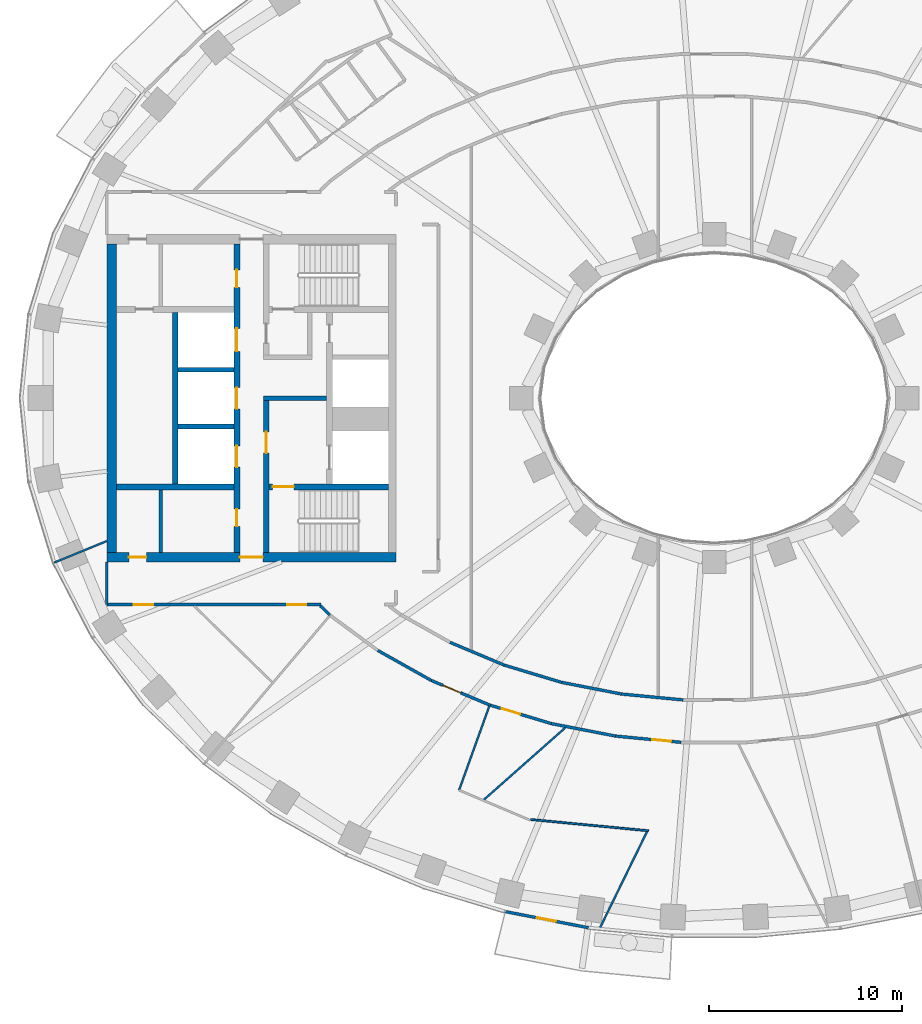
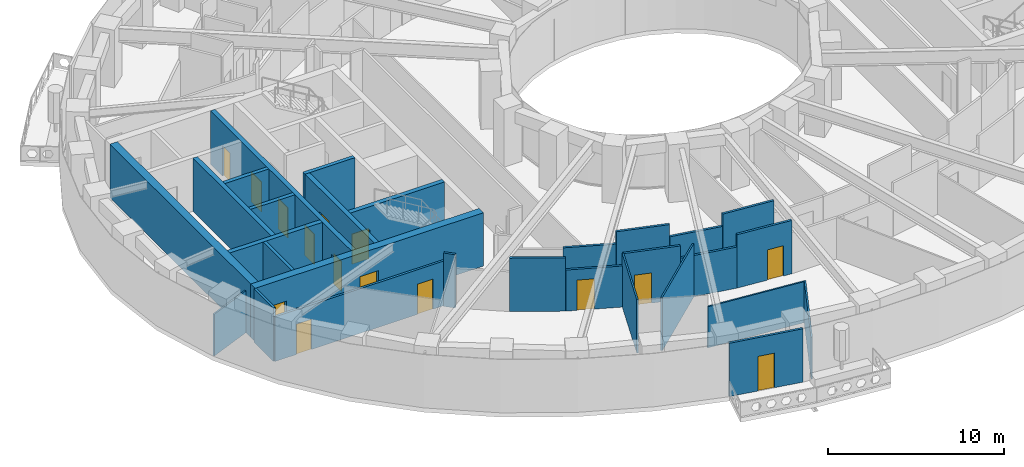
# One storey, part 3 of 17: 29 walls, 15 doors, 15 openings.
"""IFC4 building model written with IfcOpenShell, lengths in metres."""

import ifcopenshell
import ifcopenshell.guid

model = None  # the IFC model being written
_history = None  # IfcOwnerHistory: only IFC2X3 demands one
_inside = {}  # id of a spatial element -> (the spatial element, [elements in it])
_under = {}  # id of a project, library or spatial element -> (it, [spatial elements below it])
_declared = {}  # id of a project -> (the project, [libraries it declares])
_typed = {}  # id of a type object -> (the type object, [elements of that type])
_made_of = {}  # id of a material, layer set ... -> (it, [elements and type objects made of it])


def new_model(schema):
    """Start an empty IFC model of exactly this schema.

    Asked for "IFC4X3", IfcOpenShell would pick the latest addendum, in which some entities
    have other attributes; the version numbers below select the first issue.
    IFC2X3 requires an IfcOwnerHistory on every rooted entity: one is made here for all.
    """
    global model, _history
    if schema == "IFC4X3":
        model = ifcopenshell.file(schema_version=(4, 3, 0, 0))
    else:
        model = ifcopenshell.file(schema=schema)
    _inside.clear()
    _under.clear()
    _declared.clear()
    _typed.clear()
    _made_of.clear()
    _history = None
    if model.schema == "IFC2X3":
        org = make("IfcOrganization", Name="unknown")
        user = make(
            "IfcPersonAndOrganization",
            ThePerson=make("IfcPerson", FamilyName="unknown"),
            TheOrganization=org,
        )
        app = make(
            "IfcApplication",
            ApplicationDeveloper=org,
            Version="unknown",
            ApplicationFullName="unknown",
            ApplicationIdentifier="unknown",
        )
        _history = make(
            "IfcOwnerHistory",
            OwningUser=user,
            OwningApplication=app,
            ChangeAction="ADDED",
            CreationDate=0,
        )
    return model


def make(cls, **values):
    """One entity of the class cls with the attributes given. An attribute that is None is left unset."""
    return model.create_entity(
        cls, **{name: value for name, value in values.items() if value is not None}
    )


def rooted(cls, **values):
    """An entity with a GlobalId (a new one), such as an element, a storey or a relation."""
    return make(cls, GlobalId=ifcopenshell.guid.new(), OwnerHistory=_history, **values)


def si_unit(unit_type, name, prefix=None):
    """IfcSIUnit, for example si_unit("LENGTHUNIT", "METRE", prefix="MILLI")."""
    return make("IfcSIUnit", UnitType=unit_type, Prefix=prefix, Name=name)


def assignment(units):
    """IfcUnitAssignment: the units of a project."""
    return None if units is None else make("IfcUnitAssignment", Units=units)


def point(xyz):
    """IfcCartesianPoint."""
    return None if xyz is None else make("IfcCartesianPoint", Coordinates=xyz)


def direction(xyz):
    """IfcDirection."""
    return None if xyz is None else make("IfcDirection", DirectionRatios=xyz)


def frame(location, z_axis=None, x_axis=None):
    """IfcAxis2Placement3D, a coordinate frame: its origin and axes. An axis left out is left unset."""
    return make(
        "IfcAxis2Placement3D",
        Location=point(location),
        Axis=direction(z_axis),
        RefDirection=direction(x_axis),
    )


def frame_2d(location, x_axis=None):
    """IfcAxis2Placement2D, a coordinate frame in the plane: its origin and x axis."""
    return make(
        "IfcAxis2Placement2D", Location=point(location), RefDirection=direction(x_axis)
    )


def origin():
    """The frame at (0, 0, 0) with its axes left unset."""
    return frame((0.0, 0.0, 0.0))


def place(relative_to, where):
    """IfcLocalPlacement: puts the frame where relative to a parent placement (None: the world)."""
    return make(
        "IfcLocalPlacement", PlacementRelTo=relative_to, RelativePlacement=where
    )


def context(
    kind, dimensions, precision=None, world=None, true_north=None, identifier=None
):
    """IfcGeometricRepresentationContext, for example the 3D "Model" context."""
    return make(
        "IfcGeometricRepresentationContext",
        ContextIdentifier=identifier,
        ContextType=kind,
        CoordinateSpaceDimension=dimensions,
        Precision=precision,
        WorldCoordinateSystem=world,
        TrueNorth=true_north,
    )


def subcontext(parent, identifier, kind, view, scale=None):
    """IfcGeometricRepresentationSubContext, for example "Body" below "Model"."""
    return make(
        "IfcGeometricRepresentationSubContext",
        ContextIdentifier=identifier,
        ContextType=kind,
        ParentContext=parent,
        TargetScale=scale,
        TargetView=view,
    )


def project(units=None, contexts=None):
    """IfcProject with its units and contexts."""
    return rooted(
        "IfcProject",
        Name="project",
        RepresentationContexts=contexts,
        UnitsInContext=assignment(units),
    )


def spatial(cls, under=None, at=None, **own):
    """A site, building, storey or space (cls), placed at a placement, below another one or the project."""
    s = rooted(cls, ObjectPlacement=at, **own)
    if under is not None:
        _under.setdefault(under.id(), (under, []))[1].append(s)
    return s


def profile(cls, at=None, kind="AREA", **sizes):
    """A parametric profile (cls). Its sizes go by their IFC names, for example OverallWidth=200.0."""
    return make(cls, ProfileType=kind, Position=at, **sizes)


def rectangle(**sizes):
    """IfcRectangleProfileDef."""
    return profile("IfcRectangleProfileDef", **sizes)


def extrude(swept, where, along, depth):
    """IfcExtrudedAreaSolid: the profile swept, set in the frame where, extruded along a direction by depth."""
    return make(
        "IfcExtrudedAreaSolid",
        SweptArea=swept,
        Position=where,
        ExtrudedDirection=direction(along),
        Depth=depth,
    )


def shape(context_of_items, identifier, shape_type, items):
    """IfcShapeRepresentation: the items that make up one representation, for example the "Body"."""
    return make(
        "IfcShapeRepresentation",
        ContextOfItems=context_of_items,
        RepresentationIdentifier=identifier,
        RepresentationType=shape_type,
        Items=items,
    )


def material(Name=None, Category=None):
    """IfcMaterial."""
    return make("IfcMaterial", Name=Name, Category=Category)


def layer(
    of_material, thickness, ventilated=None, Name=None, Category=None, Priority=None
):
    """IfcMaterialLayer: one layer of a wall or slab, of a material (None: an air gap)."""
    return make(
        "IfcMaterialLayer",
        Material=of_material,
        LayerThickness=thickness,
        IsVentilated=ventilated,
        Name=Name,
        Category=Category,
        Priority=Priority,
    )


def layer_set(layers, Name=None):
    """IfcMaterialLayerSet."""
    return make("IfcMaterialLayerSet", MaterialLayers=layers, LayerSetName=Name)


def made_of(thing, what):
    """Note that an element or type object is made of a material, layer set ...; save() writes the relation."""
    if what is not None:
        _made_of.setdefault(what.id(), (what, []))[1].append(thing)
    return thing


def type_object(cls, material=None, **own):
    """A type object (cls), such as IfcWallType, which elements share."""
    return made_of(rooted(cls, **own), material)


def element(
    cls,
    number,
    at=None,
    inside=None,
    cuts=None,
    type_object=None,
    material=None,
    context=None,
    identifier="Body",
    shape_type=None,
    held_by="IfcProductDefinitionShape",
    body=None,
    shapes=None,
    **own,
):
    """One element of the class cls, such as IfcWall. Its Tag is "e" and its number.

    at: its placement. inside: the storey or other place that contains it. cuts: it is an
    opening in that element (IfcRelVoidsElement). A single representation is given by context,
    identifier, shape_type and body (its items); several are given by shapes. held_by: the class
    of the entity that holds the representations. save() writes the other relations.
    """
    e = rooted(cls, Tag="e%d" % number, ObjectPlacement=at, **own)
    if body is not None:
        shapes = [shape(context, identifier, shape_type, body)]
    if shapes is not None:
        e.Representation = make(held_by, Representations=shapes)
    if inside is not None:
        _inside.setdefault(inside.id(), (inside, []))[1].append(e)
    if cuts is not None:
        rooted(
            "IfcRelVoidsElement", RelatingBuildingElement=cuts, RelatedOpeningElement=e
        )
    if type_object is not None:
        _typed.setdefault(type_object.id(), (type_object, []))[1].append(e)
    return made_of(e, material)


def fill(opening, filler):
    """IfcRelFillsElement: the door or window that sits in an opening."""
    return rooted(
        "IfcRelFillsElement",
        RelatingOpeningElement=opening,
        RelatedBuildingElement=filler,
    )


def aggregate(whole, parts):
    """IfcRelAggregates: a whole, such as a stair, and the parts it consists of."""
    return rooted("IfcRelAggregates", RelatingObject=whole, RelatedObjects=parts)


def save(model, path):
    """Write the relations noted so far, then the file.

    IfcRelAggregates (storeys below a building ...), IfcRelContainedInSpatialStructure (elements
    in a storey), IfcRelDefinesByType, IfcRelAssociatesMaterial and IfcRelDeclares: one each for
    every whole, place, type object, material and project.
    """
    for whole, parts in _under.values():
        aggregate(whole, parts)
    for where, things in _inside.values():
        rooted(
            "IfcRelContainedInSpatialStructure",
            RelatedElements=things,
            RelatingStructure=where,
        )
    for kind, things in _typed.values():
        rooted("IfcRelDefinesByType", RelatedObjects=things, RelatingType=kind)
    for what, things in _made_of.values():
        rooted("IfcRelAssociatesMaterial", RelatedObjects=things, RelatingMaterial=what)
    for by, libraries in _declared.values():
        rooted("IfcRelDeclares", RelatingContext=by, RelatedDefinitions=libraries)
    model.write(path)


model = new_model("IFC4")

# Units and contexts
model_context = context("Model", 3, precision=1e-05, world=origin(), true_north=direction((0.0, 1.0)))
body_context = subcontext(model_context, "Body", "Model", "MODEL_VIEW")
ifc_project = project(units=[si_unit("LENGTHUNIT", "METRE"), si_unit("AREAUNIT", "SQUARE_METRE"), si_unit("VOLUMEUNIT", "CUBIC_METRE"), si_unit("PLANEANGLEUNIT", "RADIAN"), si_unit("MASSUNIT", "GRAM", prefix="KILO")], contexts=[model_context])

# Site, building, storey
site_placement = place(None, origin())
site = spatial("IfcSite", under=ifc_project, at=site_placement, CompositionType="ELEMENT")
building_placement = place(site_placement, origin())
building = spatial("IfcBuilding", under=site, at=building_placement, Name="Noorbagh Ring Tower", CompositionType="ELEMENT")
storey_placement = place(building_placement, frame((0.0, 0.0, 112.0)))
storey = spatial("IfcBuildingStorey", under=building, at=storey_placement, Name="L25", CompositionType="ELEMENT", Elevation=112.0)

# Walls
ifc_material_1 = material(Name="Gypsum board on steel studs", Category="steel")
ifc_layer_1 = layer(ifc_material_1, 0.199951171875)
ifc_layer_set_1 = layer_set([ifc_layer_1], Name="Gypsum board on steel studs")
wall_type_1 = type_object("IfcWallType", Name="CORE-PARTITION-200", PredefinedType="PARTITIONING", material=ifc_layer_set_1)
wall_1_placement = place(storey_placement, frame((-28.699951171875, -8.0, 0.0), z_axis=(0.0, 0.0, 1.0), x_axis=(0.0, 1.0, 0.0)))
element("IfcWall", 1, at=wall_1_placement, inside=storey, type_object=wall_type_1, Name="Core partition W", PredefinedType="PARTITIONING", context=body_context, shape_type="SweptSolid", body=[
    extrude(rectangle(XDim=3.25, YDim=0.199951171875, at=frame_2d((1.625, 0.0))), origin(), (0.0, 0.0, 1.0), 3.699951171875),
])
ifc_material_2 = material(Name="Concrete C70/85", Category="concrete")
ifc_layer_2 = layer(ifc_material_2, 0.25)
ifc_layer_set_2 = layer_set([ifc_layer_2], Name="Concrete C70/85")
wall_type_2 = type_object("IfcWallType", Name="CORE-WALL-250-C70-85-EI120", PredefinedType="SHEAR", material=ifc_layer_set_2)
for number, where, z_axis, x_axis, name in (
    (2, (-24.89990234375, -1.47509765625, 0.0), (0.0, 0.0, 1.0), (-1.0, 0.0, 0.0), "Core wall W"),
    (3, (-24.89990234375, 1.47509765625, 0.0), (0.0, 0.0, 1.0), (-1.0, 0.0, 0.0), "Core wall W"),
):
    element("IfcWall", number, at=place(storey_placement, frame(where, z_axis=z_axis, x_axis=x_axis)), inside=storey, type_object=wall_type_2, Name=name, PredefinedType="SHEAR", context=body_context, shape_type="SweptSolid", body=[
        extrude(rectangle(XDim=2.900146484375, YDim=0.25, at=frame_2d((1.4501953125, 0.0))), origin(), (0.0, 0.0, 1.0), 3.699951171875),
    ])
ifc_material_3 = material(Name="Concrete C70/85", Category="concrete")
ifc_layer_3 = layer(ifc_material_3, 0.25)
ifc_layer_set_3 = layer_set([ifc_layer_3], Name="Concrete C70/85")
wall_type_3 = type_object("IfcWallType", Name="CORE-WALL-250-C70-85-EI240", PredefinedType="SHEAR", material=ifc_layer_set_3)
wall_2_placement = place(storey_placement, frame((-20.10009765625, 0.0, 0.0), z_axis=(0.0, 0.0, 1.0), x_axis=(-1.0, 0.0, 0.0)))
element("IfcWall", 4, at=wall_2_placement, inside=storey, type_object=wall_type_3, Name="Core wall W", PredefinedType="SHEAR", context=body_context, shape_type="SweptSolid", body=[
    extrude(rectangle(XDim=3.27978515625, YDim=0.25, at=frame_2d((1.639892578125, 0.0))), origin(), (0.0, 0.0, 1.0), 3.699951171875),
])
ifc_material_4 = material(Name="Concrete C70/85", Category="concrete")
ifc_layer_4 = layer(ifc_material_4, 0.300048828125)
ifc_layer_set_4 = layer_set([ifc_layer_4], Name="Concrete C70/85")
wall_type_4 = type_object("IfcWallType", Name="CORE-WALL-300-C70-85-EI120", PredefinedType="SHEAR", material=ifc_layer_set_4)
wall_3_placement = place(storey_placement, frame((-27.949951171875, -4.449951171875, 0.0), z_axis=(0.0, 0.0, 1.0), x_axis=(0.0, 1.0, 0.0)))
element("IfcWall", 5, at=wall_3_placement, inside=storey, type_object=wall_type_4, Name="Core wall W", PredefinedType="SHEAR", context=body_context, shape_type="SweptSolid", body=[
    extrude(rectangle(XDim=8.89990234375, YDim=0.300048828125, at=frame_2d((4.449951171875, 0.0))), origin(), (0.0, 0.0, 1.0), 3.699951171875),
])

# Wall, openings, doors
wall_4_placement = place(storey_placement, frame((-24.75, -8.0, 0.0), z_axis=(0.0, 0.0, 1.0), x_axis=(0.0, 1.0, 0.0)))
wall_4 = element("IfcWall", 6, at=wall_4_placement, inside=storey, type_object=wall_type_4, Name="Core wall W", PredefinedType="SHEAR", context=body_context, shape_type="SweptSolid", body=[
    extrude(rectangle(XDim=16.0, YDim=0.300048828125, at=frame_2d((8.0, 0.0))), origin(), (0.0, 0.0, 1.0), 3.699951171875),
])
opening_1_placement = place(wall_4_placement, frame((4.425048828125, 0.0, 0.0)))
opening_1 = element("IfcOpeningElement", 7, at=opening_1_placement, cuts=wall_4, Name="Opening L25-CW02", PredefinedType="OPENING", context=body_context, shape_type="SweptSolid", body=[
    extrude(rectangle(XDim=1.10009765625, YDim=2.10009765625, at=frame_2d((0.550048828125, 1.050048828125))), frame((0.0, 0.16015625, 0.0), z_axis=(0.0, -1.0, 0.0), x_axis=(1.0, 0.0, 0.0)), (0.0, 0.0, 1.0), 0.320068359375),
])
opening_2_placement = place(wall_4_placement, frame((7.449951171875, 0.0, 0.0)))
opening_2 = element("IfcOpeningElement", 8, at=opening_2_placement, cuts=wall_4, Name="Opening L25-CW03", PredefinedType="OPENING", context=body_context, shape_type="SweptSolid", body=[
    extrude(rectangle(XDim=1.10009765625, YDim=2.10009765625, at=frame_2d((0.550048828125, 1.050048828125))), frame((0.0, 0.16015625, 0.0), z_axis=(0.0, -1.0, 0.0), x_axis=(1.0, 0.0, 0.0)), (0.0, 0.0, 1.0), 0.320068359375),
])
opening_3_placement = place(wall_4_placement, frame((10.425048828125, 0.0, 0.0)))
opening_3 = element("IfcOpeningElement", 9, at=opening_3_placement, cuts=wall_4, Name="Opening L25-CW04", PredefinedType="OPENING", context=body_context, shape_type="SweptSolid", body=[
    extrude(rectangle(XDim=1.199951171875, YDim=2.10009765625, at=frame_2d((0.60009765625, 1.050048828125))), frame((0.0, 0.16015625, 0.0), z_axis=(0.0, -1.0, 0.0), x_axis=(1.0, 0.0, 0.0)), (0.0, 0.0, 1.0), 0.320068359375),
])
opening_4_placement = place(wall_4_placement, frame((13.75, 0.0, 0.0)))
opening_4 = element("IfcOpeningElement", 10, at=opening_4_placement, cuts=wall_4, Name="Opening L25-CW12", PredefinedType="OPENING", context=body_context, shape_type="SweptSolid", body=[
    extrude(rectangle(XDim=0.89990234375, YDim=2.10009765625, at=frame_2d((0.449951171875, 1.050048828125))), frame((0.0, 0.16015625, 0.0), z_axis=(0.0, -1.0, 0.0), x_axis=(1.0, 0.0, 0.0)), (0.0, 0.0, 1.0), 0.320068359375),
])
opening_5_placement = place(wall_4_placement, frame((1.35009765625, 0.0, 0.0)))
opening_5 = element("IfcOpeningElement", 11, at=opening_5_placement, cuts=wall_4, Name="Opening L25-CW14", PredefinedType="OPENING", context=body_context, shape_type="SweptSolid", body=[
    extrude(rectangle(XDim=0.89990234375, YDim=2.10009765625, at=frame_2d((0.449951171875, 1.050048828125))), frame((0.0, 0.16015625, 0.0), z_axis=(0.0, -1.0, 0.0), x_axis=(1.0, 0.0, 0.0)), (0.0, 0.0, 1.0), 0.320068359375),
])
ifc_material_5 = material(Name="Steel door leaf", Category="steel")
door_type_1 = type_object("IfcDoorType", Name="CORE-DOOR-DROOM", OperationType="SINGLE_SWING_LEFT", PredefinedType="DOOR", material=ifc_material_5)
door_1_placement = place(opening_4_placement, origin())
door_1 = element("IfcDoor", 12, at=door_1_placement, inside=storey, type_object=door_type_1, Name="Core room door L25-CW12", OperationType="SINGLE_SWING_RIGHT", OverallHeight=2.10009765625, OverallWidth=0.89990234375, PredefinedType="DOOR", context=body_context, shape_type="SweptSolid", body=[
    extrude(rectangle(XDim=0.89990234375, YDim=2.10009765625, at=frame_2d((0.449951171875, 1.050048828125))), frame((0.0, 0.02490234375, 0.0), z_axis=(0.0, -1.0, 0.0), x_axis=(1.0, 0.0, 0.0)), (0.0, 0.0, 1.0), 0.050048828125),
])
fill(opening_4, door_1)
door_2_placement = place(opening_5_placement, origin())
door_2 = element("IfcDoor", 13, at=door_2_placement, inside=storey, type_object=door_type_1, Name="Core room door L25-CW14", OperationType="SINGLE_SWING_LEFT", OverallHeight=2.10009765625, OverallWidth=0.89990234375, PredefinedType="DOOR", context=body_context, shape_type="SweptSolid", body=[
    extrude(rectangle(XDim=0.89990234375, YDim=2.10009765625, at=frame_2d((0.449951171875, 1.050048828125))), frame((0.0, 0.02490234375, 0.0), z_axis=(0.0, -1.0, 0.0), x_axis=(1.0, 0.0, 0.0)), (0.0, 0.0, 1.0), 0.050048828125),
])
fill(opening_5, door_2)
ifc_material_6 = material(Name="Steel door leaf", Category="steel")
door_type_2 = type_object("IfcDoorType", Name="CORE-DOOR-LD", OperationType="DOUBLE_DOOR_SLIDING", PredefinedType="DOOR", material=ifc_material_6)
door_3_placement = place(opening_1_placement, origin())
door_3 = element("IfcDoor", 14, at=door_3_placement, inside=storey, type_object=door_type_2, Name="Landing door LR1 L25-CW02", OperationType="DOUBLE_DOOR_SLIDING", OverallHeight=2.10009765625, OverallWidth=1.10009765625, PredefinedType="DOOR", context=body_context, shape_type="SweptSolid", body=[
    extrude(rectangle(XDim=1.10009765625, YDim=2.10009765625, at=frame_2d((0.550048828125, 1.050048828125))), frame((0.0, 0.02490234375, 0.0), z_axis=(0.0, -1.0, 0.0), x_axis=(1.0, 0.0, 0.0)), (0.0, 0.0, 1.0), 0.050048828125),
])
fill(opening_1, door_3)
door_4_placement = place(opening_2_placement, origin())
door_4 = element("IfcDoor", 15, at=door_4_placement, inside=storey, type_object=door_type_2, Name="Landing door LR2 L25-CW03", OperationType="DOUBLE_DOOR_SLIDING", OverallHeight=2.10009765625, OverallWidth=1.10009765625, PredefinedType="DOOR", context=body_context, shape_type="SweptSolid", body=[
    extrude(rectangle(XDim=1.10009765625, YDim=2.10009765625, at=frame_2d((0.550048828125, 1.050048828125))), frame((0.0, 0.02490234375, 0.0), z_axis=(0.0, -1.0, 0.0), x_axis=(1.0, 0.0, 0.0)), (0.0, 0.0, 1.0), 0.050048828125),
])
fill(opening_2, door_4)
ifc_material_7 = material(Name="Steel door leaf", Category="steel")
door_type_3 = type_object("IfcDoorType", Name="CORE-DOOR-LDW", OperationType="DOUBLE_DOOR_SLIDING", PredefinedType="DOOR", material=ifc_material_7)
door_5_placement = place(opening_3_placement, origin())
door_5 = element("IfcDoor", 16, at=door_5_placement, inside=storey, type_object=door_type_3, Name="Landing door SV1 L25-CW04", OperationType="DOUBLE_DOOR_SLIDING", OverallHeight=2.10009765625, OverallWidth=1.199951171875, PredefinedType="DOOR", context=body_context, shape_type="SweptSolid", body=[
    extrude(rectangle(XDim=1.199951171875, YDim=2.10009765625, at=frame_2d((0.60009765625, 1.050048828125))), frame((0.0, 0.02490234375, 0.0), z_axis=(0.0, -1.0, 0.0), x_axis=(1.0, 0.0, 0.0)), (0.0, 0.0, 1.0), 0.050048828125),
])
fill(opening_3, door_5)

# Wall
ifc_material_8 = material(Name="Concrete C70/85", Category="concrete")
ifc_layer_5 = layer(ifc_material_8, 0.300048828125)
ifc_layer_set_5 = layer_set([ifc_layer_5], Name="Concrete C70/85")
wall_type_5 = type_object("IfcWallType", Name="CORE-WALL-300-C70-85-EI240", PredefinedType="SHEAR", material=ifc_layer_set_5)
wall_5_placement = place(storey_placement, frame((-24.89990234375, -4.60009765625, 0.0), z_axis=(0.0, 0.0, 1.0), x_axis=(-1.0, 0.0, 0.0)))
element("IfcWall", 17, at=wall_5_placement, inside=storey, type_object=wall_type_5, Name="Core wall W", PredefinedType="SHEAR", context=body_context, shape_type="SweptSolid", body=[
    extrude(rectangle(XDim=6.10009765625, YDim=0.300048828125, at=frame_2d((3.050048828125, 0.0))), origin(), (0.0, 0.0, 1.0), 3.699951171875),
])

# Wall, opening, door
wall_6_placement = place(storey_placement, frame((-23.22998046875, -8.0, 0.0), z_axis=(0.0, 0.0, 1.0), x_axis=(0.0, 1.0, 0.0)))
wall_6 = element("IfcWall", 18, at=wall_6_placement, inside=storey, type_object=wall_type_5, Name="Core wall W", PredefinedType="SHEAR", context=body_context, shape_type="SweptSolid", body=[
    extrude(rectangle(XDim=7.875, YDim=0.300048828125, at=frame_2d((3.9375, 0.0))), origin(), (0.0, 0.0, 1.0), 3.699951171875),
])
opening_6_placement = place(wall_6_placement, frame((5.14990234375, 0.0, 0.0)))
opening_6 = element("IfcOpeningElement", 19, at=opening_6_placement, cuts=wall_6, Name="Opening L25-CW07", PredefinedType="OPENING", context=body_context, shape_type="SweptSolid", body=[
    extrude(rectangle(XDim=1.10009765625, YDim=2.10009765625, at=frame_2d((0.550048828125, 1.050048828125))), frame((0.0, 0.16015625, 0.0), z_axis=(0.0, -1.0, 0.0), x_axis=(1.0, 0.0, 0.0)), (0.0, 0.0, 1.0), 0.320068359375),
])
ifc_material_9 = material(Name="Steel door leaf", Category="steel")
door_type_4 = type_object("IfcDoorType", Name="CORE-DOOR-DFF", OperationType="SINGLE_SWING_LEFT", PredefinedType="DOOR", material=ifc_material_9)
door_6_placement = place(opening_6_placement, origin())
door_6 = element("IfcDoor", 20, at=door_6_placement, inside=storey, type_object=door_type_4, Name="Firefighting lobby door L25-CW07", OperationType="SINGLE_SWING_LEFT", OverallHeight=2.10009765625, OverallWidth=1.10009765625, PredefinedType="DOOR", context=body_context, shape_type="SweptSolid", body=[
    extrude(rectangle(XDim=1.10009765625, YDim=2.10009765625, at=frame_2d((0.550048828125, 1.050048828125))), frame((0.0, 0.02490234375, 0.0), z_axis=(0.0, -1.0, 0.0), x_axis=(1.0, 0.0, 0.0)), (0.0, 0.0, 1.0), 0.050048828125),
])
fill(opening_6, door_6)

wall_7_placement = place(storey_placement, frame((-16.89990234375, -4.60009765625, 0.0), z_axis=(0.0, 0.0, 1.0), x_axis=(-1.0, 0.0, 0.0)))
wall_7 = element("IfcWall", 21, at=wall_7_placement, inside=storey, type_object=wall_type_5, Name="Core wall W", PredefinedType="SHEAR", context=body_context, shape_type="SweptSolid", body=[
    extrude(rectangle(XDim=6.18017578125, YDim=0.300048828125, at=frame_2d((3.090087890625, 0.0))), origin(), (0.0, 0.0, 1.0), 3.699951171875),
])
opening_7_placement = place(wall_7_placement, frame((4.89990234375, 0.0, 0.0)))
opening_7 = element("IfcOpeningElement", 22, at=opening_7_placement, cuts=wall_7, Name="Opening L25-CW06", PredefinedType="OPENING", context=body_context, shape_type="SweptSolid", body=[
    extrude(rectangle(XDim=1.10009765625, YDim=2.10009765625, at=frame_2d((0.550048828125, 1.050048828125))), frame((0.0, 0.16015625, 0.0), z_axis=(0.0, -1.0, 0.0), x_axis=(1.0, 0.0, 0.0)), (0.0, 0.0, 1.0), 0.320068359375),
])
ifc_material_10 = material(Name="Steel door leaf", Category="steel")
door_type_5 = type_object("IfcDoorType", Name="CORE-DOOR-DSTAIR", OperationType="SINGLE_SWING_LEFT", PredefinedType="DOOR", material=ifc_material_10)
door_7_placement = place(opening_7_placement, origin())
door_7 = element("IfcDoor", 23, at=door_7_placement, inside=storey, type_object=door_type_5, Name="Stair door ST2 L25-CW06", OperationType="SINGLE_SWING_LEFT", OverallHeight=2.10009765625, OverallWidth=1.10009765625, PredefinedType="DOOR", context=body_context, shape_type="SweptSolid", body=[
    extrude(rectangle(XDim=1.10009765625, YDim=2.10009765625, at=frame_2d((0.550048828125, 1.050048828125))), frame((0.0, 0.02490234375, 0.0), z_axis=(0.0, -1.0, 0.0), x_axis=(1.0, 0.0, 0.0)), (0.0, 0.0, 1.0), 0.050048828125),
])
fill(opening_7, door_7)

# Wall, openings, doors
ifc_material_11 = material(Name="Concrete C70/85", Category="concrete")
ifc_layer_6 = layer(ifc_material_11, 0.5)
ifc_layer_set_6 = layer_set([ifc_layer_6], Name="Concrete C70/85")
wall_type_6 = type_object("IfcWallType", Name="CORE-WALL-500-C70-85-EI240", PredefinedType="SHEAR", material=ifc_layer_set_6)
wall_8_placement = place(storey_placement, frame((-16.5, -8.25, 0.0), z_axis=(0.0, 0.0, 1.0), x_axis=(-1.0, 0.0, 0.0)))
wall_8 = element("IfcWall", 24, at=wall_8_placement, inside=storey, type_object=wall_type_6, Name="Core wall W", PredefinedType="SHEAR", context=body_context, shape_type="SweptSolid", body=[
    extrude(rectangle(XDim=15.0, YDim=0.5, at=frame_2d((7.5, 0.0))), origin(), (0.0, 0.0, 1.0), 3.699951171875),
])
opening_8_placement = place(wall_8_placement, frame((6.89990234375, 0.0, 0.0)))
opening_8 = element("IfcOpeningElement", 25, at=opening_8_placement, cuts=wall_8, Name="Opening L25-CW10", PredefinedType="OPENING", context=body_context, shape_type="SweptSolid", body=[
    extrude(rectangle(XDim=1.199951171875, YDim=2.10009765625, at=frame_2d((0.60009765625, 1.050048828125))), frame((0.0, 0.260009765625, 0.0), z_axis=(0.0, -1.0, 0.0), x_axis=(1.0, 0.0, 0.0)), (0.0, 0.0, 1.0), 0.52001953125),
])
opening_9_placement = place(wall_8_placement, frame((12.949951171875, 0.0, 0.0)))
opening_9 = element("IfcOpeningElement", 26, at=opening_9_placement, cuts=wall_8, Name="Opening L25-CW15", PredefinedType="OPENING", context=body_context, shape_type="SweptSolid", body=[
    extrude(rectangle(XDim=0.89990234375, YDim=2.10009765625, at=frame_2d((0.449951171875, 1.050048828125))), frame((0.0, 0.260009765625, 0.0), z_axis=(0.0, -1.0, 0.0), x_axis=(1.0, 0.0, 0.0)), (0.0, 0.0, 1.0), 0.52001953125),
])
door_8_placement = place(opening_9_placement, origin())
door_8 = element("IfcDoor", 27, at=door_8_placement, inside=storey, type_object=door_type_1, Name="Core room door L25-CW15", OperationType="SINGLE_SWING_LEFT", OverallHeight=2.10009765625, OverallWidth=0.89990234375, PredefinedType="DOOR", context=body_context, shape_type="SweptSolid", body=[
    extrude(rectangle(XDim=0.89990234375, YDim=2.10009765625, at=frame_2d((0.449951171875, 1.050048828125))), frame((0.0, 0.02490234375, 0.0), z_axis=(0.0, -1.0, 0.0), x_axis=(1.0, 0.0, 0.0)), (0.0, 0.0, 1.0), 0.050048828125),
])
fill(opening_9, door_8)
ifc_material_12 = material(Name="Steel door leaf", Category="steel")
door_type_6 = type_object("IfcDoorType", Name="CORE-DOOR-PORT", OperationType="DOUBLE_DOOR_DOUBLE_SWING", PredefinedType="DOOR", material=ifc_material_12)
door_9_placement = place(opening_8_placement, origin())
door_9 = element("IfcDoor", 28, at=door_9_placement, inside=storey, type_object=door_type_6, Name="Core entrance door L25-CW10", OperationType="DOUBLE_DOOR_DOUBLE_SWING", OverallHeight=2.10009765625, OverallWidth=1.199951171875, PredefinedType="DOOR", context=body_context, shape_type="SweptSolid", body=[
    extrude(rectangle(XDim=1.199951171875, YDim=2.10009765625, at=frame_2d((0.60009765625, 1.050048828125))), frame((0.0, 0.02490234375, 0.0), z_axis=(0.0, -1.0, 0.0), x_axis=(1.0, 0.0, 0.0)), (0.0, 0.0, 1.0), 0.050048828125),
])
fill(opening_8, door_9)

# Walls
wall_9_placement = place(storey_placement, frame((-31.25, -8.0, 0.0), z_axis=(0.0, 0.0, 1.0), x_axis=(0.0, 1.0, 0.0)))
element("IfcWall", 29, at=wall_9_placement, inside=storey, type_object=wall_type_6, Name="Core wall W", PredefinedType="SHEAR", context=body_context, shape_type="SweptSolid", body=[
    extrude(rectangle(XDim=16.0, YDim=0.5, at=frame_2d((8.0, 0.0))), origin(), (0.0, 0.0, 1.0), 3.699951171875),
])
ifc_material_13 = material(Name="Gypsum board on steel studs", Category="steel")
ifc_layer_7 = layer(ifc_material_13, 0.14990234375)
ifc_layer_set_7 = layer_set([ifc_layer_7], Name="Gypsum board on steel studs")
wall_type_7 = type_object("IfcWallType", Name="CORRIDOR PARTITION 150 EI 30", PredefinedType="PARTITIONING", material=ifc_layer_set_7)
wall_10_placement = place(storey_placement, frame((-31.5, -10.699951171875, 0.0), z_axis=(0.0, 0.0, 1.0), x_axis=(0.0, 1.0, 0.0)))
element("IfcWall", 30, at=wall_10_placement, inside=storey, type_object=wall_type_7, Name="L25/wall/P02", PredefinedType="PARTITIONING", context=body_context, shape_type="SweptSolid", body=[
    extrude(rectangle(XDim=2.199951171875, YDim=0.14990234375, at=frame_2d((1.10009765625, 0.0))), origin(), (0.0, 0.0, 1.0), 3.699951171875),
])

# Wall, openings, doors
wall_11_placement = place(storey_placement, frame((-31.5, -10.699951171875, 0.0), z_axis=(0.0, 0.0, 1.0), x_axis=(1.0, 0.0, 0.0)))
wall_11 = element("IfcWall", 31, at=wall_11_placement, inside=storey, type_object=wall_type_7, Name="L25/wall/P03", PredefinedType="PARTITIONING", context=body_context, shape_type="SweptSolid", body=[
    extrude(rectangle(XDim=11.113037109375, YDim=0.14990234375, at=frame_2d((5.556640625, 0.0))), origin(), (0.0, 0.0, 1.0), 3.10009765625),
])
opening_10_placement = place(wall_11_placement, frame((1.39990234375, 0.0, 0.0)))
opening_10 = element("IfcOpeningElement", 32, at=opening_10_placement, cuts=wall_11, Name="Opening D1", PredefinedType="OPENING", context=body_context, shape_type="SweptSolid", body=[
    extrude(rectangle(XDim=1.0, YDim=2.10009765625, at=frame_2d((0.5, 1.050048828125))), frame((0.0, 0.0849609375, 0.0), z_axis=(0.0, -1.0, 0.0), x_axis=(1.0, 0.0, 0.0)), (0.0, 0.0, 1.0), 0.169921875),
])
opening_11_placement = place(wall_11_placement, frame((9.35595703125, 0.0, 0.0)))
opening_11 = element("IfcOpeningElement", 33, at=opening_11_placement, cuts=wall_11, Name="Opening D1", PredefinedType="OPENING", context=body_context, shape_type="SweptSolid", body=[
    extrude(rectangle(XDim=1.0, YDim=2.10009765625, at=frame_2d((0.5, 1.050048828125))), frame((0.0, 0.0849609375, 0.0), z_axis=(0.0, -1.0, 0.0), x_axis=(1.0, 0.0, 0.0)), (0.0, 0.0, 1.0), 0.169921875),
])
ifc_material_14 = material(Name="Timber, painted", Category="wood")
door_type_7 = type_object("IfcDoorType", Name="DOOR 1000 X 2100 FD30", OperationType="SINGLE_SWING_LEFT", PredefinedType="DOOR", material=ifc_material_14)
door_10_placement = place(opening_10_placement, origin())
door_10 = element("IfcDoor", 34, at=door_10_placement, inside=storey, type_object=door_type_7, Name="L25-D07", OperationType="SINGLE_SWING_LEFT", OverallHeight=2.10009765625, OverallWidth=1.0, PredefinedType="DOOR", context=body_context, shape_type="SweptSolid", body=[
    extrude(rectangle(XDim=1.0, YDim=2.10009765625, at=frame_2d((0.5, 1.050048828125))), frame((0.0, 0.02490234375, 0.0), z_axis=(0.0, -1.0, 0.0), x_axis=(1.0, 0.0, 0.0)), (0.0, 0.0, 1.0), 0.050048828125),
])
fill(opening_10, door_10)
door_11_placement = place(opening_11_placement, origin())
door_11 = element("IfcDoor", 35, at=door_11_placement, inside=storey, type_object=door_type_7, Name="L25-D08", OperationType="SINGLE_SWING_RIGHT", OverallHeight=2.10009765625, OverallWidth=1.0, PredefinedType="DOOR", context=body_context, shape_type="SweptSolid", body=[
    extrude(rectangle(XDim=1.0, YDim=2.10009765625, at=frame_2d((0.5, 1.050048828125))), frame((0.0, 0.02490234375, 0.0), z_axis=(0.0, -1.0, 0.0), x_axis=(1.0, 0.0, 0.0)), (0.0, 0.0, 1.0), 0.050048828125),
])
fill(opening_11, door_11)

# Walls
wall_12_placement = place(storey_placement, frame((-20.41796875, -10.77490234375, 0.0), z_axis=(0.0, 0.0, 1.0), x_axis=(0.717145300924, -0.69692368116, 0.0)))
element("IfcWall", 36, at=wall_12_placement, inside=storey, type_object=wall_type_7, Name="L25/wall/P14", PredefinedType="PARTITIONING", context=body_context, shape_type="SweptSolid", body=[
    extrude(rectangle(XDim=0.676025390625, YDim=0.14990234375, at=frame_2d((0.337890625, 0.0))), origin(), (0.0, 0.0, 1.0), 3.699951171875),
])
wall_13_placement = place(storey_placement, frame((-17.445068359375, -13.08203125, 0.0), z_axis=(0.0, 0.0, 1.0), x_axis=(0.872072095629, -0.489377420837, 0.0)))
element("IfcWall", 37, at=wall_13_placement, inside=storey, type_object=wall_type_7, Name="L25/wall/P23", PredefinedType="PARTITIONING", context=body_context, shape_type="SweptSolid", body=[
    extrude(rectangle(XDim=3.187744140625, YDim=0.14990234375, at=frame_2d((1.59375, 0.0))), origin(), (0.0, 0.0, 1.0), 3.699951171875),
])

# Wall, opening, door
wall_14_placement = place(storey_placement, frame((-14.6650390625, -14.64208984375, 0.0), z_axis=(0.0, 0.0, 1.0), x_axis=(0.921850993012, -0.387544509293, 0.0)))
wall_14 = element("IfcWall", 38, at=wall_14_placement, inside=storey, type_object=wall_type_7, Name="L25/wall/P36", PredefinedType="PARTITIONING", context=body_context, shape_type="SweptSolid", body=[
    extrude(rectangle(XDim=3.2587890625, YDim=0.14990234375, at=frame_2d((1.62939453125, 0.0))), origin(), (0.0, 0.0, 1.0), 2.85009765625),
])
opening_12_placement = place(wall_14_placement, frame((0.64990234375, 0.0, 0.0)))
opening_12 = element("IfcOpeningElement", 39, at=opening_12_placement, cuts=wall_14, Name="Opening D1", PredefinedType="OPENING", context=body_context, shape_type="SweptSolid", body=[
    extrude(rectangle(XDim=1.0, YDim=2.10009765625, at=frame_2d((0.5, 1.050048828125))), frame((0.0, 0.0849609375, 0.0), z_axis=(0.0, -1.0, 0.0), x_axis=(1.0, 0.0, 0.0)), (0.0, 0.0, 1.0), 0.169921875),
])
door_12_placement = place(opening_12_placement, origin())
door_12 = element("IfcDoor", 40, at=door_12_placement, inside=storey, type_object=door_type_7, Name="L25-D09", OperationType="SINGLE_SWING_LEFT", OverallHeight=2.10009765625, OverallWidth=1.0, PredefinedType="DOOR", context=body_context, shape_type="SweptSolid", body=[
    extrude(rectangle(XDim=1.0, YDim=2.10009765625, at=frame_2d((0.5, 1.050048828125))), frame((0.0, 0.02490234375, 0.0), z_axis=(0.0, -1.0, 0.0), x_axis=(1.0, 0.0, 0.0)), (0.0, 0.0, 1.0), 0.050048828125),
])
fill(opening_12, door_12)

# Wall
wall_15_placement = place(storey_placement, frame((-13.697021484375, -12.662109375, 0.0), z_axis=(0.0, 0.0, 1.0), x_axis=(0.921751821358, -0.387780324183, 0.0)))
element("IfcWall", 41, at=wall_15_placement, inside=storey, type_object=wall_type_7, Name="L25/wall/P39", PredefinedType="PARTITIONING", context=body_context, shape_type="SweptSolid", body=[
    extrude(rectangle(XDim=3.037841796875, YDim=0.14990234375, at=frame_2d((1.51904296875, 0.0))), origin(), (0.0, 0.0, 1.0), 2.85009765625),
])

# Wall, opening, door
wall_16_placement = place(storey_placement, frame((-11.64306640625, -15.9130859375, 0.0), z_axis=(0.0, 0.0, 1.0), x_axis=(0.957584891346, -0.288151307243, 0.0)))
wall_16 = element("IfcWall", 42, at=wall_16_placement, inside=storey, type_object=wall_type_7, Name="L25/wall/P45", PredefinedType="PARTITIONING", context=body_context, shape_type="SweptSolid", body=[
    extrude(rectangle(XDim=3.344970703125, YDim=0.14990234375, at=frame_2d((1.67236328125, 0.0))), origin(), (0.0, 0.0, 1.0), 3.699951171875),
])
opening_13_placement = place(wall_16_placement, frame((0.64990234375, 0.0, 0.0)))
opening_13 = element("IfcOpeningElement", 43, at=opening_13_placement, cuts=wall_16, Name="Opening D1", PredefinedType="OPENING", context=body_context, shape_type="SweptSolid", body=[
    extrude(rectangle(XDim=1.0, YDim=2.10009765625, at=frame_2d((0.5, 1.050048828125))), frame((0.0, 0.0849609375, 0.0), z_axis=(0.0, -1.0, 0.0), x_axis=(1.0, 0.0, 0.0)), (0.0, 0.0, 1.0), 0.169921875),
])
door_13_placement = place(opening_13_placement, origin())
door_13 = element("IfcDoor", 44, at=door_13_placement, inside=storey, type_object=door_type_7, Name="L25-D11", OperationType="SINGLE_SWING_LEFT", OverallHeight=2.10009765625, OverallWidth=1.0, PredefinedType="DOOR", context=body_context, shape_type="SweptSolid", body=[
    extrude(rectangle(XDim=1.0, YDim=2.10009765625, at=frame_2d((0.5, 1.050048828125))), frame((0.0, 0.02490234375, 0.0), z_axis=(0.0, -1.0, 0.0), x_axis=(1.0, 0.0, 0.0)), (0.0, 0.0, 1.0), 0.050048828125),
])
fill(opening_13, door_13)

# Walls
wall_17_placement = place(storey_placement, frame((-10.89697265625, -13.840087890625, 0.0), z_axis=(0.0, 0.0, 1.0), x_axis=(0.957606118849, -0.28808075455, 0.0)))
element("IfcWall", 45, at=wall_17_placement, inside=storey, type_object=wall_type_7, Name="L25/wall/P47", PredefinedType="PARTITIONING", context=body_context, shape_type="SweptSolid", body=[
    extrude(rectangle(XDim=3.116943359375, YDim=0.14990234375, at=frame_2d((1.55859375, 0.0))), origin(), (0.0, 0.0, 1.0), 3.699951171875),
])
wall_18_placement = place(storey_placement, frame((-8.43994140625, -16.876953125, 0.0), z_axis=(0.0, 0.0, 1.0), x_axis=(0.981665220565, -0.190613207134, 0.0)))
element("IfcWall", 46, at=wall_18_placement, inside=storey, type_object=wall_type_7, Name="L25/wall/P50", PredefinedType="PARTITIONING", context=body_context, shape_type="SweptSolid", body=[
    extrude(rectangle(XDim=3.38916015625, YDim=0.14990234375, at=frame_2d((1.694580078125, 0.0))), origin(), (0.0, 0.0, 1.0), 2.85009765625),
])
wall_19_placement = place(storey_placement, frame((-7.912109375, -14.738037109375, 0.0), z_axis=(0.0, 0.0, 1.0), x_axis=(0.981588545092, -0.191007665145, 0.0)))
element("IfcWall", 47, at=wall_19_placement, inside=storey, type_object=wall_type_7, Name="L25/wall/P52", PredefinedType="PARTITIONING", context=body_context, shape_type="SweptSolid", body=[
    extrude(rectangle(XDim=3.17236328125, YDim=0.14990234375, at=frame_2d((1.586181640625, 0.0))), origin(), (0.0, 0.0, 1.0), 2.85009765625),
])

# Wall, opening, door
wall_20_placement = place(storey_placement, frame((-5.113037109375, -17.52294921875, 0.0), z_axis=(0.0, 0.0, 1.0), x_axis=(0.995466844572, -0.095109207532, 0.0)))
wall_20 = element("IfcWall", 48, at=wall_20_placement, inside=storey, type_object=wall_type_7, Name="L25/wall/P55", PredefinedType="PARTITIONING", context=body_context, shape_type="SweptSolid", body=[
    extrude(rectangle(XDim=3.41650390625, YDim=0.14990234375, at=frame_2d((1.708251953125, 0.0))), origin(), (0.0, 0.0, 1.0), 3.699951171875),
])
opening_14_placement = place(wall_20_placement, frame((1.89990234375, 0.0, 0.0)))
opening_14 = element("IfcOpeningElement", 49, at=opening_14_placement, cuts=wall_20, Name="Opening D1", PredefinedType="OPENING", context=body_context, shape_type="SweptSolid", body=[
    extrude(rectangle(XDim=1.0, YDim=2.10009765625, at=frame_2d((0.5, 1.050048828125))), frame((0.0, 0.0849609375, 0.0), z_axis=(0.0, -1.0, 0.0), x_axis=(1.0, 0.0, 0.0)), (0.0, 0.0, 1.0), 0.169921875),
])
door_14_placement = place(opening_14_placement, origin())
door_14 = element("IfcDoor", 50, at=door_14_placement, inside=storey, type_object=door_type_7, Name="L25-D12", OperationType="SINGLE_SWING_RIGHT", OverallHeight=2.10009765625, OverallWidth=1.0, PredefinedType="DOOR", context=body_context, shape_type="SweptSolid", body=[
    extrude(rectangle(XDim=1.0, YDim=2.10009765625, at=frame_2d((0.5, 1.050048828125))), frame((0.0, 0.02490234375, 0.0), z_axis=(0.0, -1.0, 0.0), x_axis=(1.0, 0.0, 0.0)), (0.0, 0.0, 1.0), 0.050048828125),
])
fill(opening_14, door_14)

# Wall
wall_21_placement = place(storey_placement, frame((-4.798095703125, -15.343994140625, 0.0), z_axis=(0.0, 0.0, 1.0), x_axis=(0.995491705426, -0.09484863957, 0.0)))
element("IfcWall", 51, at=wall_21_placement, inside=storey, type_object=wall_type_7, Name="L25/wall/P57", PredefinedType="PARTITIONING", context=body_context, shape_type="SweptSolid", body=[
    extrude(rectangle(XDim=3.20458984375, YDim=0.14990234375, at=frame_2d((1.602294921875, 0.0))), origin(), (0.0, 0.0, 1.0), 3.699951171875),
])

# Wall, opening, door
ifc_material_15 = material(Name="Insulated aluminium clad panel", Category="aluminium")
ifc_layer_8 = layer(ifc_material_15, 0.14990234375)
ifc_layer_set_8 = layer_set([ifc_layer_8], Name="Insulated aluminium clad panel")
wall_type_8 = type_object("IfcWallType", Name="ENV-WALL-DOOR", PredefinedType="STANDARD", material=ifc_layer_set_8)
wall_22_placement = place(storey_placement, frame((-10.87060546875, -26.616943359375, 0.0), z_axis=(0.0, 0.0, 1.0), x_axis=(0.981631174778, -0.190788460615, 0.0)))
wall_22 = element("IfcWall", 52, at=wall_22_placement, inside=storey, type_object=wall_type_8, Name="Balcony door wall chord 33", PredefinedType="STANDARD", context=body_context, shape_type="SweptSolid", body=[
    extrude(rectangle(XDim=4.42626953125, YDim=0.14990234375, at=frame_2d((2.213134765625, 0.0))), origin(), (0.0, 0.0, 1.0), 3.699951171875),
])
opening_15_placement = place(wall_22_placement, frame((1.713134765625, 0.0, 0.0)))
opening_15 = element("IfcOpeningElement", 53, at=opening_15_placement, cuts=wall_22, Name="Opening D-BL", PredefinedType="OPENING", context=body_context, shape_type="SweptSolid", body=[
    extrude(rectangle(XDim=1.0, YDim=2.39990234375, at=frame_2d((0.5, 1.199951171875))), frame((0.0, 0.0849609375, 0.0), z_axis=(0.0, -1.0, 0.0), x_axis=(1.0, 0.0, 0.0)), (0.0, 0.0, 1.0), 0.169921875),
])
ifc_material_16 = material(Name="Aluminium and glass", Category="aluminium")
door_type_8 = type_object("IfcDoorType", Name="ENV-DOOR-BALCONY", OperationType="SINGLE_SWING_LEFT", PredefinedType="DOOR", material=ifc_material_16)
door_15_placement = place(opening_15_placement, origin())
door_15 = element("IfcDoor", 54, at=door_15_placement, inside=storey, type_object=door_type_8, Name="Balcony door chord 33", OperationType="SINGLE_SWING_RIGHT", OverallHeight=2.39990234375, OverallWidth=1.0, PredefinedType="DOOR", context=body_context, shape_type="SweptSolid", body=[
    extrude(rectangle(XDim=1.0, YDim=2.39990234375, at=frame_2d((0.5, 1.199951171875))), frame((0.0, 0.02490234375, 0.0), z_axis=(0.0, -1.0, 0.0), x_axis=(1.0, 0.0, 0.0)), (0.0, 0.0, 1.0), 0.050048828125),
])
fill(opening_15, door_15)

# Walls
ifc_material_17 = material(Name="Gypsum board on steel studs", Category="steel")
ifc_layer_9 = layer(ifc_material_17, 0.10009765625)
ifc_layer_set_9 = layer_set([ifc_layer_9], Name="Gypsum board on steel studs")
wall_type_9 = type_object("IfcWallType", Name="PARTITION 100 GYPSUM", PredefinedType="PARTITIONING", material=ifc_layer_set_9)
wall_23_placement = place(storey_placement, frame((-34.23388671875, -8.530029296875, 0.0), z_axis=(0.0, 0.0, 1.0), x_axis=(0.925344112436, 0.379128307542, 0.0)))
element("IfcWall", 55, at=wall_23_placement, inside=storey, type_object=wall_type_9, Name="L25/wall/P01", PredefinedType="PARTITIONING", context=body_context, shape_type="SweptSolid", body=[
    extrude(rectangle(XDim=2.954345703125, YDim=0.10009765625, at=frame_2d((1.47705078125, 0.0))), origin(), (0.0, 0.0, 1.0), 2.89990234375),
])
wall_24_placement = place(storey_placement, frame((-13.22998046875, -20.326904296875, 0.0), z_axis=(0.0, 0.0, 1.0), x_axis=(0.338411379185, 0.940998266969, 0.0)))
element("IfcWall", 56, at=wall_24_placement, inside=storey, type_object=wall_type_9, Name="L25/wall/P41", PredefinedType="PARTITIONING", context=body_context, shape_type="SweptSolid", body=[
    extrude(rectangle(XDim=4.6865234375, YDim=0.10009765625, at=frame_2d((2.34326171875, 0.0))), origin(), (0.0, 0.0, 1.0), 3.699951171875),
])
wall_25_placement = place(storey_placement, frame((-11.93798828125, -20.818115234375, 0.0), z_axis=(0.0, 0.0, 1.0), x_axis=(0.749089420646, 0.662468897289, 0.0)))
element("IfcWall", 57, at=wall_25_placement, inside=storey, type_object=wall_type_9, Name="L25/wall/P44", PredefinedType="PARTITIONING", context=body_context, shape_type="SweptSolid", body=[
    extrude(rectangle(XDim=5.6201171875, YDim=0.10009765625, at=frame_2d((2.81005859375, 0.0))), origin(), (0.0, 0.0, 1.0), 3.699951171875),
])
wall_26_placement = place(storey_placement, frame((-9.52294921875, -21.847900390625, 0.0), z_axis=(0.0, 0.0, 1.0), x_axis=(0.995438322378, -0.095407265659, 0.0)))
element("IfcWall", 58, at=wall_26_placement, inside=storey, type_object=wall_type_9, Name="L25/wall/P49", PredefinedType="PARTITIONING", context=body_context, shape_type="SweptSolid", body=[
    extrude(rectangle(XDim=6.14404296875, YDim=0.10009765625, at=frame_2d((3.072021484375, 0.0))), origin(), (0.0, 0.0, 1.0), 2.85009765625),
])
wall_27_placement = place(storey_placement, frame((-5.9580078125, -27.5380859375, 0.0), z_axis=(0.0, 0.0, 1.0), x_axis=(0.439326712168, 0.8983273568, 0.0)))
element("IfcWall", 59, at=wall_27_placement, inside=storey, type_object=wall_type_9, Name="L25/wall/P54", PredefinedType="PARTITIONING", context=body_context, shape_type="SweptSolid", body=[
    extrude(rectangle(XDim=5.6337890625, YDim=0.10009765625, at=frame_2d((2.81689453125, 0.0))), origin(), (0.0, 0.0, 1.0), 2.89990234375),
])

save(model, "model.ifc")
